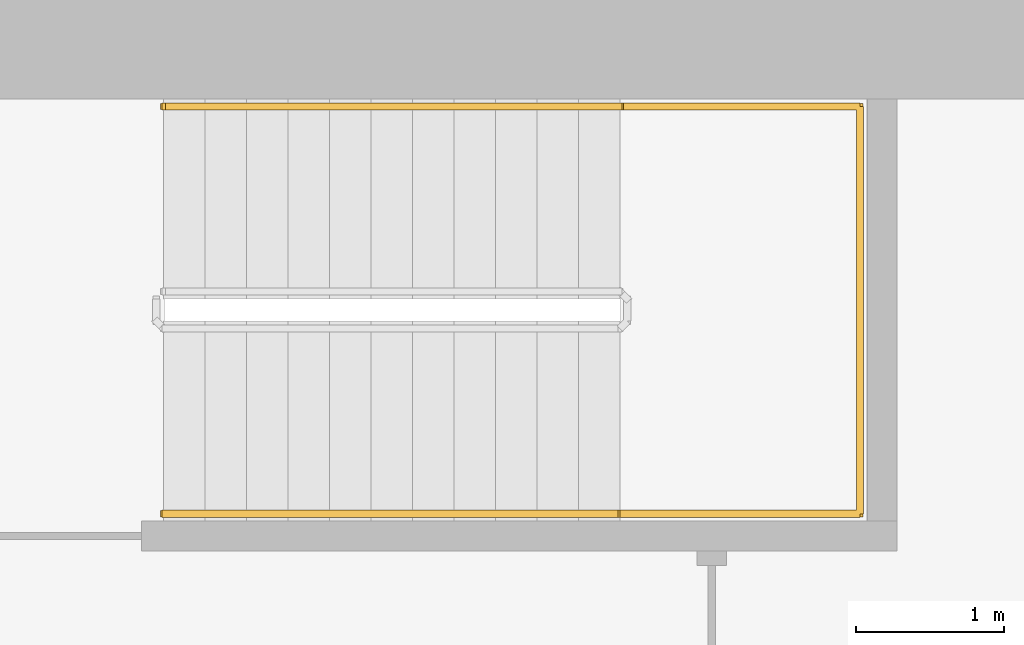
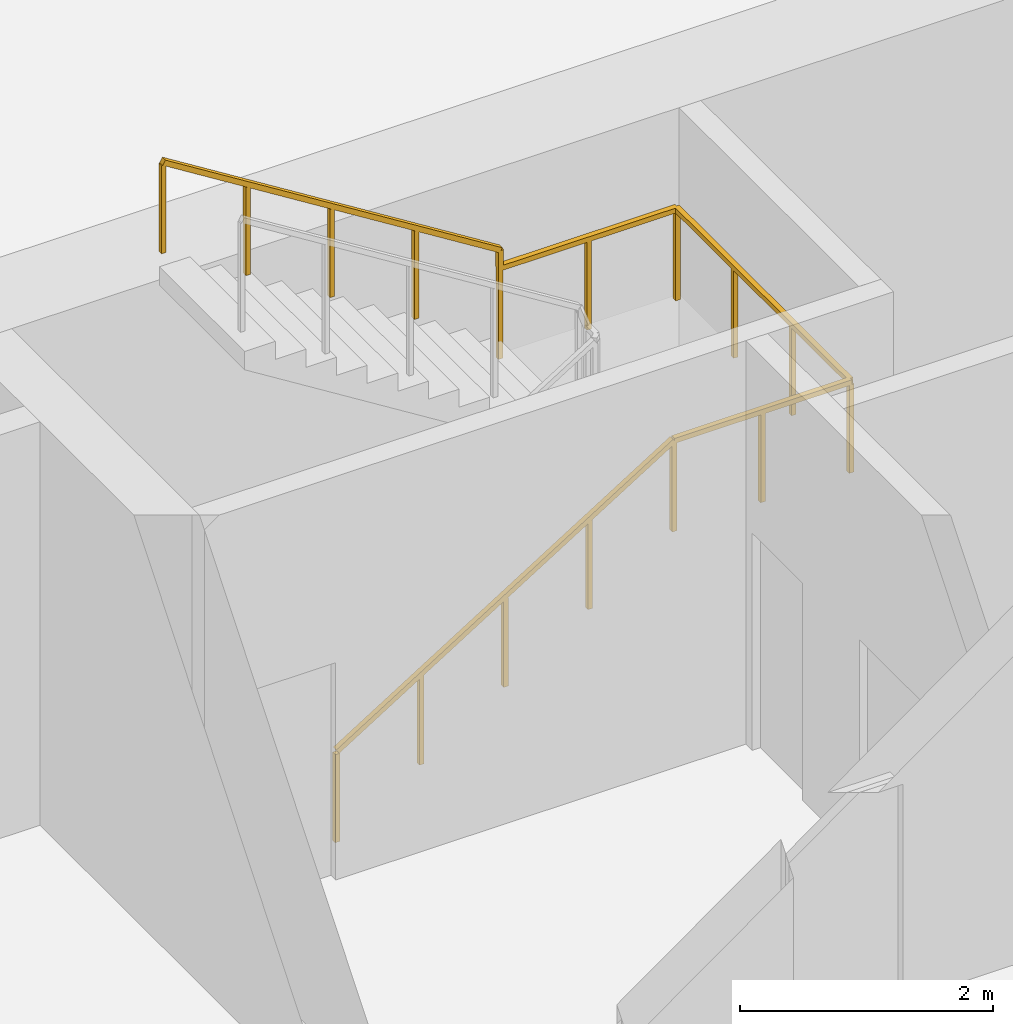
# One storey, part 8 of 8: 1 railing.
"""IFC4 building model written with IfcOpenShell, lengths in metres."""

from ifc_helpers import new_model, si_unit, direction, frame, origin, origin_2d, place, context, subcontext, project, spatial, rectangle, extrude, material, type_object, element, save


model = new_model("IFC4")

# Units and contexts
model_context = context("Model", 3, precision=1e-05, world=origin(), true_north=direction((0.0, 1.0)))
body_context = subcontext(model_context, "Body", "Model", "MODEL_VIEW")
ifc_project = project(units=[si_unit("LENGTHUNIT", "METRE"), si_unit("AREAUNIT", "SQUARE_METRE"), si_unit("VOLUMEUNIT", "CUBIC_METRE"), si_unit("PLANEANGLEUNIT", "RADIAN"), si_unit("MASSUNIT", "GRAM", prefix="KILO")], contexts=[model_context])

# Site, building, storey
site_placement = place(None, origin())
site = spatial("IfcSite", under=ifc_project, at=site_placement, CompositionType="ELEMENT")
building_placement = place(site_placement, origin())
building = spatial("IfcBuilding", under=site, at=building_placement, Name="Perihelion Cross Residences", CompositionType="ELEMENT")
storey_placement = place(building_placement, frame((0.0, 0.0, -12.89990234375)))
storey = spatial("IfcBuildingStorey", under=building, at=storey_placement, Name="B3", CompositionType="ELEMENT", Elevation=-12.89990234375)

# Railing
ifc_material = material(Name="Stainless steel", Category="steel")
railing_type = type_object("IfcRailingType", Name="Stair handrail 900", PredefinedType="HANDRAIL", material=ifc_material)
railing_placement = place(storey_placement, frame((23.39990234375, 5.300048828125, 0.1748046875)))
element("IfcRailing", 1, at=railing_placement, inside=storey, type_object=railing_type, Name="B3 ST-E1 stair handrail 1", PredefinedType="HANDRAIL", context=body_context, shape_type="SweptSolid", body=[
    extrude(rectangle(XDim=0.048095703125, YDim=0.048095703125, at=origin_2d()), frame((0.0, 0.0, 0.8759765625), z_axis=(0.847998304005, 0.0, 0.529998940003), x_axis=(0.0, 1.0, 0.0)), (0.0, 0.0, 1.0), 3.632080078125),
    extrude(rectangle(XDim=0.048095703125, YDim=0.048095703125, at=origin_2d()), frame((3.080078125, 0.0, 2.80078125), z_axis=(1.0, 0.0, 0.0), x_axis=(0.0, 1.0, 0.0)), (0.0, 0.0, 1.0), 1.6201171875),
    extrude(rectangle(XDim=0.048095703125, YDim=0.048095703125, at=origin_2d()), frame((4.7001953125, 0.0, 2.80078125), z_axis=(0.0, 1.0, 0.0), x_axis=(-1.0, 0.0, 0.0)), (0.0, 0.0, 1.0), 2.75),
    extrude(rectangle(XDim=0.048095703125, YDim=0.048095703125, at=origin_2d()), frame((4.7001953125, 2.75, 2.80078125), z_axis=(-1.0, 0.0, 0.0), x_axis=(0.0, -1.0, 0.0)), (0.0, 0.0, 1.0), 1.6201171875),
    extrude(rectangle(XDim=0.048095703125, YDim=0.048095703125, at=origin_2d()), frame((3.080078125, 2.75, 2.80078125), z_axis=(0.0, 0.0, 1.0), x_axis=(1.0, 0.0, 0.0)), (0.0, 0.0, 1.0), 0.175048828125),
    extrude(rectangle(XDim=0.048095703125, YDim=0.048095703125, at=origin_2d()), frame((3.080078125, 2.75, 2.97607421875), z_axis=(-0.847998304005, 0.0, 0.529998940003), x_axis=(0.0, -1.0, 0.0)), (0.0, 0.0, 1.0), 3.632080078125),
    extrude(rectangle(XDim=0.0419921875, YDim=0.0419921875, at=origin_2d()), origin(), (0.0, 0.0, 1.0), 0.851806640625),
    extrude(rectangle(XDim=0.0419921875, YDim=0.0419921875, at=origin_2d()), frame((0.77001953125, 0.0, 0.481201171875)), (0.0, 0.0, 1.0), 0.851806640625),
    extrude(rectangle(XDim=0.0419921875, YDim=0.0419921875, at=origin_2d()), frame((1.5400390625, 0.0, 0.96240234375)), (0.0, 0.0, 1.0), 0.851806640625),
    extrude(rectangle(XDim=0.0419921875, YDim=0.0419921875, at=origin_2d()), frame((2.31005859375, 0.0, 1.44384765625)), (0.0, 0.0, 1.0), 0.851806640625),
    extrude(rectangle(XDim=0.0419921875, YDim=0.0419921875, at=origin_2d()), frame((3.080078125, 0.0, 1.925048828125)), (0.0, 0.0, 1.0), 0.851806640625),
    extrude(rectangle(XDim=0.0419921875, YDim=0.0419921875, at=origin_2d()), frame((3.89013671875, 0.0, 1.925048828125)), (0.0, 0.0, 1.0), 0.851806640625),
    extrude(rectangle(XDim=0.0419921875, YDim=0.0419921875, at=origin_2d()), frame((4.7001953125, 0.0, 1.925048828125)), (0.0, 0.0, 1.0), 0.851806640625),
    extrude(rectangle(XDim=0.0419921875, YDim=0.0419921875, at=origin_2d()), frame((4.7001953125, 0.916748046875, 1.925048828125)), (0.0, 0.0, 1.0), 0.851806640625),
    extrude(rectangle(XDim=0.0419921875, YDim=0.0419921875, at=origin_2d()), frame((4.7001953125, 1.833251953125, 1.925048828125)), (0.0, 0.0, 1.0), 0.851806640625),
    extrude(rectangle(XDim=0.0419921875, YDim=0.0419921875, at=origin_2d()), frame((4.7001953125, 2.75, 1.925048828125)), (0.0, 0.0, 1.0), 0.851806640625),
    extrude(rectangle(XDim=0.0419921875, YDim=0.0419921875, at=origin_2d()), frame((3.89013671875, 2.75, 1.925048828125)), (0.0, 0.0, 1.0), 0.851806640625),
    extrude(rectangle(XDim=0.0419921875, YDim=0.0419921875, at=origin_2d()), frame((3.080078125, 2.75, 1.925048828125)), (0.0, 0.0, 1.0), 0.851806640625),
    extrude(rectangle(XDim=0.0419921875, YDim=0.0419921875, at=origin_2d()), frame((3.080078125, 2.75, 2.10009765625)), (0.0, 0.0, 1.0), 0.851806640625),
    extrude(rectangle(XDim=0.0419921875, YDim=0.0419921875, at=origin_2d()), frame((2.31005859375, 2.75, 2.581298828125)), (0.0, 0.0, 1.0), 0.851806640625),
    extrude(rectangle(XDim=0.0419921875, YDim=0.0419921875, at=origin_2d()), frame((1.5400390625, 2.75, 3.0625)), (0.0, 0.0, 1.0), 0.851806640625),
    extrude(rectangle(XDim=0.0419921875, YDim=0.0419921875, at=origin_2d()), frame((0.77001953125, 2.75, 3.5439453125)), (0.0, 0.0, 1.0), 0.851806640625),
    extrude(rectangle(XDim=0.0419921875, YDim=0.0419921875, at=origin_2d()), frame((0.0, 2.75, 4.025146484375)), (0.0, 0.0, 1.0), 0.851806640625),
])

save(model, "model.ifc")
